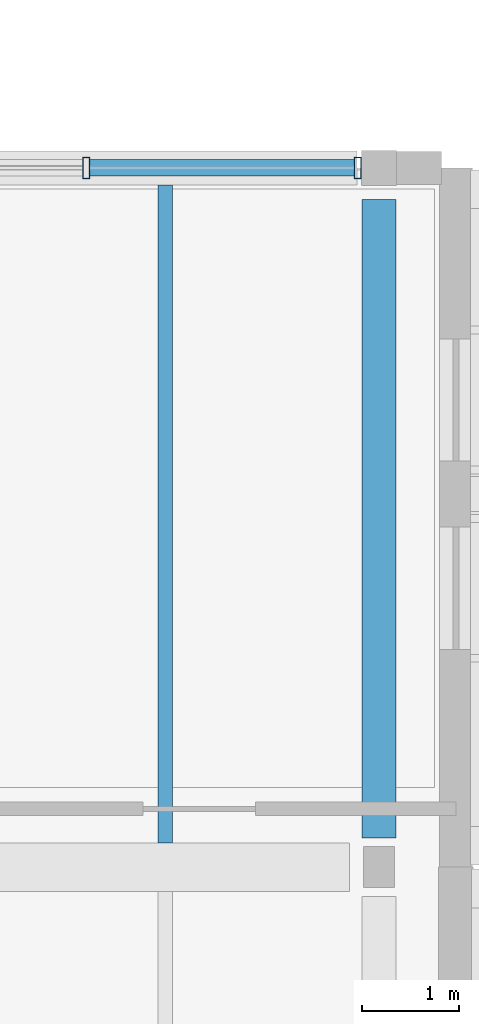
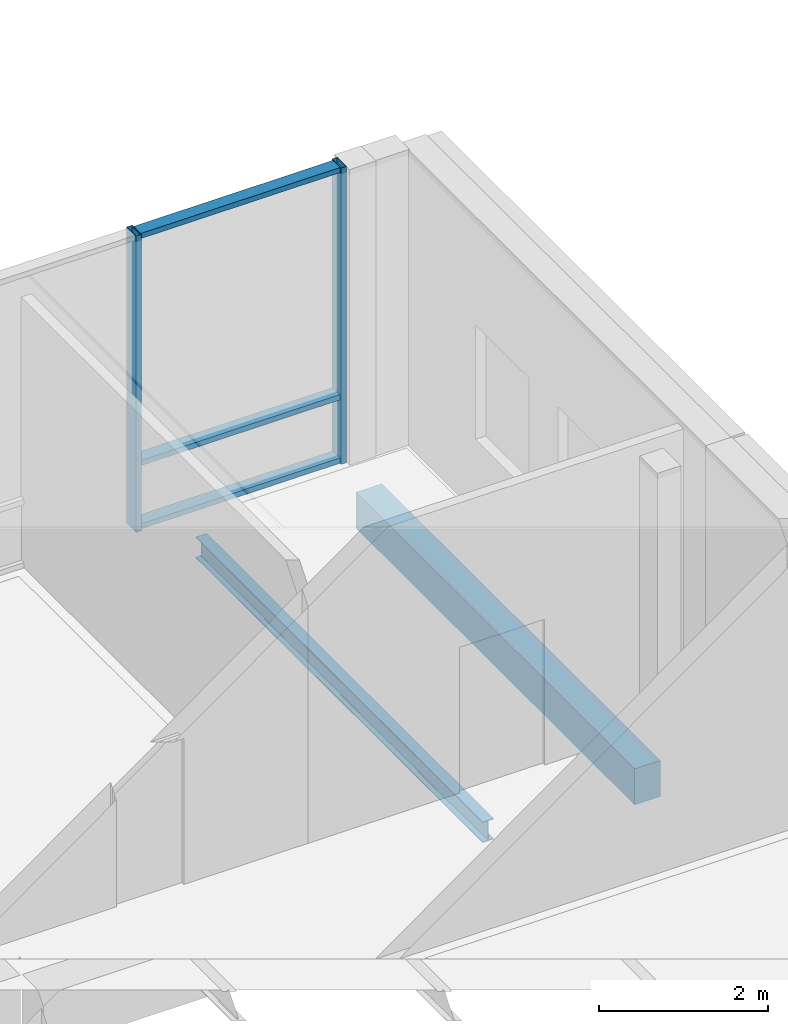
# One storey, part 78 of 146: 5 members, 2 beams, 1 element without a shape of its own.
"""IFC4 building model written with IfcOpenShell, lengths in metres."""

from ifc_helpers import new_model, si_unit, direction, frame, origin, origin_2d, place, context, subcontext, project, spatial, rectangle, hollow_rectangle, i_section, extrude, material, material_profile, profile_set, type_object, element, aggregate, save


model = new_model("IFC4")

# Units and contexts
model_context = context("Model", 3, precision=1e-05, world=origin(), true_north=direction((0.0, 1.0)))
body_context = subcontext(model_context, "Body", "Model", "MODEL_VIEW")
ifc_project = project(units=[si_unit("LENGTHUNIT", "METRE"), si_unit("AREAUNIT", "SQUARE_METRE"), si_unit("VOLUMEUNIT", "CUBIC_METRE"), si_unit("PLANEANGLEUNIT", "RADIAN"), si_unit("MASSUNIT", "GRAM", prefix="KILO")], contexts=[model_context])

# Site, building, storey
site_placement = place(None, origin())
site = spatial("IfcSite", under=ifc_project, at=site_placement, CompositionType="ELEMENT")
building_placement = place(site_placement, origin())
building = spatial("IfcBuilding", under=site, at=building_placement, Name="Hawrajan Terrace Health Centre", CompositionType="ELEMENT")
storey_placement = place(building_placement, frame((0.0, 0.0, 4.5)))
storey = spatial("IfcBuildingStorey", under=building, at=storey_placement, Name="L01", CompositionType="ELEMENT", Elevation=4.5)

# Curtain wall, members
ifc_material_1 = material(Name="Anodized bronze aluminium and low-E solar glazing", Category="aluminium")
curtain_wall_type = type_object("IfcCurtainWallType", Name="CW_Garden_SeriesF1", PredefinedType="USERDEFINED", material=ifc_material_1)
curtain_wall_placement = place(storey_placement, origin())
curtain_wall = element("IfcCurtainWall", 1, at=curtain_wall_placement, inside=storey, type_object=curtain_wall_type, Name="Curtain wall CW-L01-086", ObjectType="UNITISED CURTAIN WALL", PredefinedType="USERDEFINED")
ifc_material_2 = material(Name="Anodized bronze aluminium 6063-T6", Category="aluminium")
ifc_material_profile_1 = material_profile(ifc_material_2, hollow_rectangle(XDim=0.074951171875, YDim=0.219970703125, WallThickness=0.0048828125, at=origin_2d()), Name="CW MUL 75x220")
ifc_profile_set_1 = profile_set([ifc_material_profile_1], Name="Anodized bronze aluminium 6063-T6")
member_type_1 = type_object("IfcMemberType", Name="CWMullion_75x220", PredefinedType="MULLION", material=ifc_profile_set_1)
member_1_placement = place(storey_placement, frame((67.987548828125, 59.800048828125, -0.0048828125), z_axis=(0.0, 0.0, 1.0), x_axis=(1.0, 0.0, 0.0)))
member_1 = element("IfcMember", 2, at=member_1_placement, type_object=member_type_1, Name="Mullion CW-L01-086-M3", PredefinedType="MULLION", context=body_context, shape_type="SweptSolid", body=[
    extrude(hollow_rectangle(XDim=0.074951171875, YDim=0.219970703125, WallThickness=0.0048828125, at=origin_2d()), origin(), (0.0, 0.0, 1.0), 4.269775390625),
])
member_2_placement = place(storey_placement, frame((70.782470703125, 59.800048828125, -0.0048828125), z_axis=(0.0, 0.0, 1.0), x_axis=(1.0, 0.0, 0.0)))
member_2 = element("IfcMember", 3, at=member_2_placement, type_object=member_type_1, Name="Mullion CW-L01-086-M4", PredefinedType="MULLION", context=body_context, shape_type="SweptSolid", body=[
    extrude(hollow_rectangle(XDim=0.074951171875, YDim=0.219970703125, WallThickness=0.0048828125, at=origin_2d()), origin(), (0.0, 0.0, 1.0), 4.269775390625),
])
ifc_material_profile_2 = material_profile(ifc_material_2, hollow_rectangle(XDim=0.074951171875, YDim=0.169921875, WallThickness=0.00439453125, at=origin_2d()), Name="CW TRN 75x170")
ifc_profile_set_2 = profile_set([ifc_material_profile_2], Name="Anodized bronze aluminium 6063-T6")
member_type_2 = type_object("IfcMemberType", Name="CWTransom_75x170", PredefinedType="USERDEFINED", material=ifc_profile_set_2)
member_3_placement = place(storey_placement, frame((68.01904296875, 59.800048828125, 0.03759765625), z_axis=(1.0, 0.0, 0.0), x_axis=(0.0, 0.0, 1.0)))
member_3 = element("IfcMember", 4, at=member_3_placement, type_object=member_type_2, Name="Transom CW-L01-086-T3-1", ObjectType="TRANSOM", PredefinedType="USERDEFINED", context=body_context, shape_type="SweptSolid", body=[
    extrude(hollow_rectangle(XDim=0.074951171875, YDim=0.169921875, WallThickness=0.00439453125, at=origin_2d()), origin(), (0.0, 0.0, 1.0), 2.73193359375),
])
member_4_placement = place(storey_placement, frame((68.01904296875, 59.800048828125, 0.949951171875), z_axis=(1.0, 0.0, 0.0), x_axis=(0.0, 0.0, 1.0)))
member_4 = element("IfcMember", 5, at=member_4_placement, type_object=member_type_2, Name="Transom CW-L01-086-T3-2", ObjectType="TRANSOM", PredefinedType="USERDEFINED", context=body_context, shape_type="SweptSolid", body=[
    extrude(hollow_rectangle(XDim=0.074951171875, YDim=0.169921875, WallThickness=0.00439453125, at=origin_2d()), origin(), (0.0, 0.0, 1.0), 2.73193359375),
])
member_5_placement = place(storey_placement, frame((68.01904296875, 59.800048828125, 4.222412109375), z_axis=(1.0, 0.0, 0.0), x_axis=(0.0, 0.0, 1.0)))
member_5 = element("IfcMember", 6, at=member_5_placement, type_object=member_type_2, Name="Transom CW-L01-086-T3-3", ObjectType="TRANSOM", PredefinedType="USERDEFINED", context=body_context, shape_type="SweptSolid", body=[
    extrude(hollow_rectangle(XDim=0.074951171875, YDim=0.169921875, WallThickness=0.00439453125, at=origin_2d()), origin(), (0.0, 0.0, 1.0), 2.73193359375),
])
aggregate(curtain_wall, [member_1, member_2, member_3, member_4, member_5])

# Beams
ifc_material_3 = material(Name="Concrete C40/50", Category="concrete")
ifc_material_profile_3 = material_profile(ifc_material_3, rectangle(XDim=0.35009765625, YDim=0.52001953125, at=origin_2d()), Name="RC SP 350x520")
ifc_profile_set_3 = profile_set([ifc_material_profile_3], Name="Concrete C40/50")
beam_type_1 = type_object("IfcBeamType", Name="RCSpandrel_350x520", PredefinedType="SPANDREL", material=ifc_profile_set_3)
beam_1_placement = place(storey_placement, frame((71.0, 52.89990234375, -0.56005859375), z_axis=(0.0, 1.0, 0.0), x_axis=(-1.0, 0.0, 0.0)))
element("IfcBeam", 7, at=beam_1_placement, inside=storey, type_object=beam_type_1, Name="Beam BM-Y-L01-W-X10-7", PredefinedType="SPANDREL", context=body_context, shape_type="SweptSolid", body=[
    extrude(rectangle(XDim=0.35009765625, YDim=0.52001953125, at=origin_2d()), origin(), (0.0, 0.0, 1.0), 6.5751953125),
])
ifc_material_4 = material(Name="Steel S355", Category="steel")
ifc_material_profile_4 = material_profile(ifc_material_4, i_section(OverallWidth=0.14990234375, OverallDepth=0.300048828125, WebThickness=0.007080078125, FlangeThickness=0.0107421875, FilletRadius=0.014892578125, at=origin_2d()), Name="IPE 300")
ifc_profile_set_4 = profile_set([ifc_material_profile_4], Name="Steel S355")
beam_type_2 = type_object("IfcBeamType", Name="SteelBeam_IPE300", PredefinedType="JOIST", material=ifc_profile_set_4)
beam_2_placement = place(storey_placement, frame((68.800048828125, 52.85009765625, -0.449951171875), z_axis=(0.0, 1.0, 0.0), x_axis=(-1.0, 0.0, 0.0)))
element("IfcBeam", 8, at=beam_2_placement, inside=storey, type_object=beam_type_2, Name="Secondary joist JST-L01-W-09-7-3", PredefinedType="JOIST", context=body_context, shape_type="SweptSolid", body=[
    extrude(i_section(OverallWidth=0.14990234375, OverallDepth=0.300048828125, WebThickness=0.007080078125, FlangeThickness=0.0107421875, FilletRadius=0.014892578125, at=origin_2d()), origin(), (0.0, 0.0, 1.0), 6.77490234375),
])

save(model, "model.ifc")
